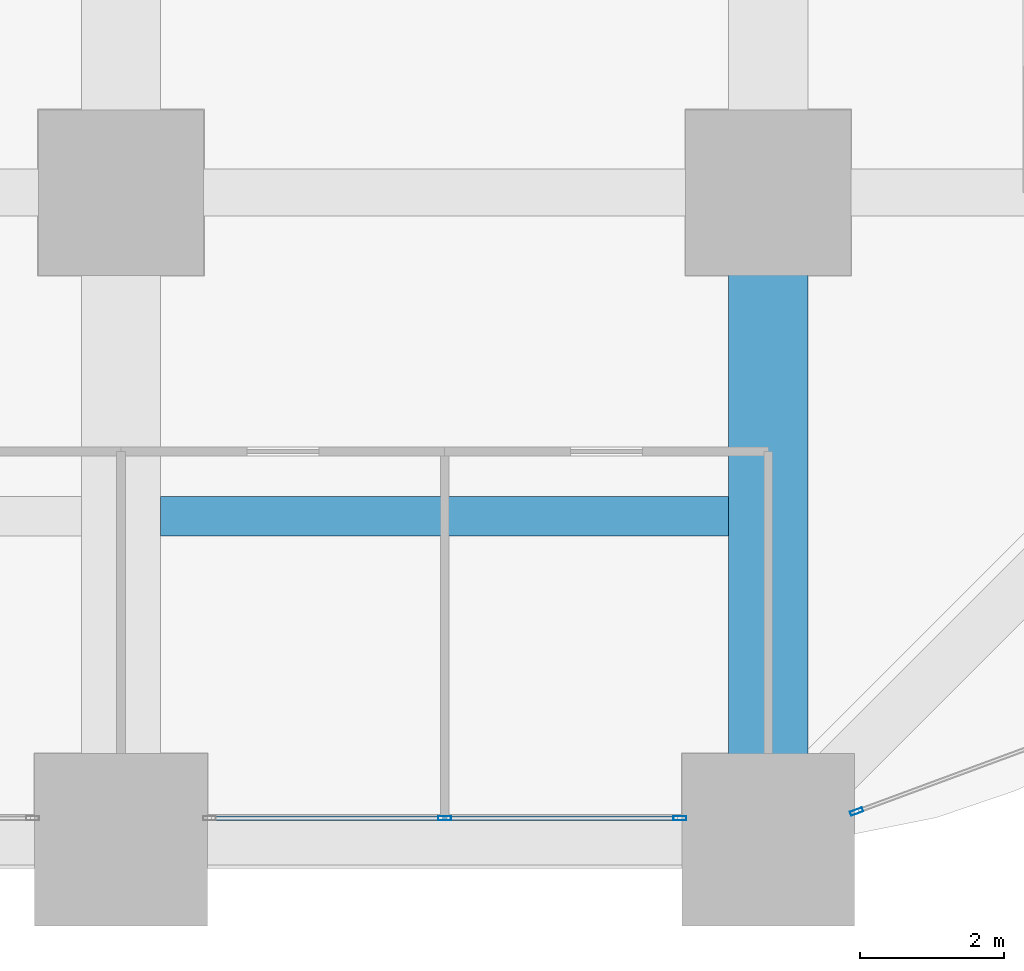
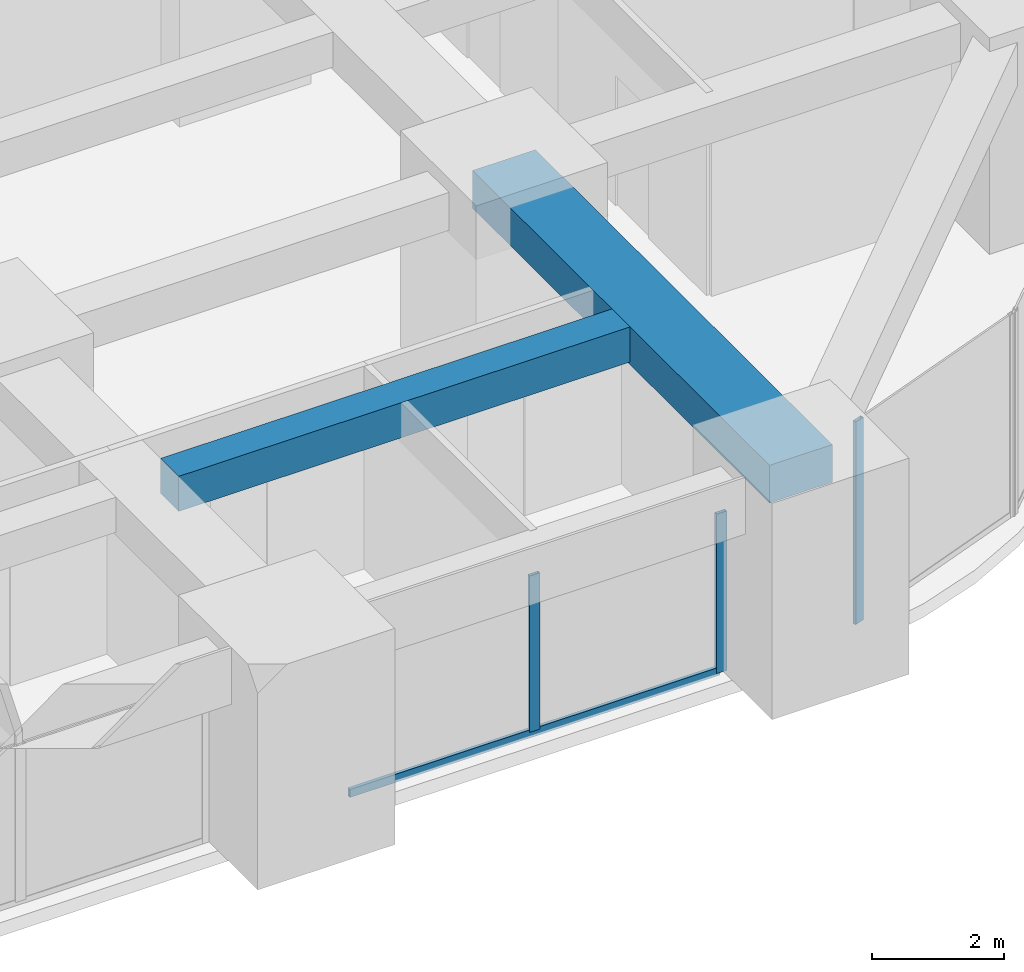
# One storey, part 15 of 45: 4 members, 2 beams, 2 elements without a shape of their own.
"""IFC4 building model written with IfcOpenShell, lengths in metres."""

from ifc_helpers import new_model, si_unit, direction, frame, origin, origin_2d, place, context, subcontext, project, spatial, rectangle, hollow_rectangle, extrude, material, material_profile, profile_set, type_object, element, aggregate, save


model = new_model("IFC4")

# Units and contexts
model_context = context("Model", 3, precision=1e-05, world=origin(), true_north=direction((0.0, 1.0)))
body_context = subcontext(model_context, "Body", "Model", "MODEL_VIEW")
ifc_project = project(units=[si_unit("LENGTHUNIT", "METRE"), si_unit("AREAUNIT", "SQUARE_METRE"), si_unit("VOLUMEUNIT", "CUBIC_METRE"), si_unit("PLANEANGLEUNIT", "RADIAN"), si_unit("MASSUNIT", "GRAM", prefix="KILO")], contexts=[model_context])

# Site, building, storey
site_placement = place(None, origin())
site = spatial("IfcSite", under=ifc_project, at=site_placement, CompositionType="ELEMENT")
building_placement = place(site_placement, origin())
building = spatial("IfcBuilding", under=site, at=building_placement, Name="Zorevar Civic Tower", CompositionType="ELEMENT")
storey_placement = place(building_placement, frame((0.0, 0.0, 27.800048828125)))
storey = spatial("IfcBuildingStorey", under=building, at=storey_placement, Name="L06", CompositionType="ELEMENT", Elevation=27.800048828125)

# Beams
ifc_material_1 = material(Name="Concrete C50/60", Category="concrete")
ifc_material_profile_1 = material_profile(ifc_material_1, rectangle(XDim=1.10009765625, YDim=0.699951171875, at=origin_2d()), Name="RC 1100x700")
ifc_profile_set_1 = profile_set([ifc_material_profile_1], Name="Concrete C50/60")
beam_type_1 = type_object("IfcBeamType", Name="Beam RC 1100x700", PredefinedType="BEAM", material=ifc_profile_set_1)
beam_1_placement = place(storey_placement, frame((54.0, 0.0, 3.39990234375), z_axis=(0.0, 1.0, 0.0), x_axis=(-1.0, 0.0, 0.0)))
element("IfcBeam", 1, at=beam_1_placement, inside=storey, type_object=beam_type_1, Name="Girder L07", PredefinedType="BEAM", context=body_context, shape_type="SweptSolid", body=[
    extrude(rectangle(XDim=1.10009765625, YDim=0.699951171875, at=origin_2d()), origin(), (0.0, 0.0, 1.0), 9.0),
])
ifc_material_2 = material(Name="Concrete C50/60", Category="concrete")
ifc_material_profile_2 = material_profile(ifc_material_2, rectangle(XDim=0.550048828125, YDim=0.64990234375, at=origin_2d()), Name="RC 550x650")
ifc_profile_set_2 = profile_set([ifc_material_profile_2], Name="Concrete C50/60")
beam_type_2 = type_object("IfcBeamType", Name="Beam RC 550x650", PredefinedType="BEAM", material=ifc_profile_set_2)
beam_2_placement = place(storey_placement, frame((45.550048828125, 4.5, 3.425048828125), z_axis=(1.0, 0.0, 0.0), x_axis=(0.0, 1.0, 0.0)))
element("IfcBeam", 2, at=beam_2_placement, inside=storey, type_object=beam_type_2, Name="Secondary beam L07", PredefinedType="BEAM", context=body_context, shape_type="SweptSolid", body=[
    extrude(rectangle(XDim=0.550048828125, YDim=0.64990234375, at=origin_2d()), origin(), (0.0, 0.0, 1.0), 7.89990234375),
])

# Curtain wall, members
ifc_material_3 = material(Name="Dark grey solar-control glass in black aluminium frame", Category="aluminium")
curtain_wall_type = type_object("IfcCurtainWallType", Name="Curtain wall CW2 low zone", PredefinedType="NOTDEFINED", material=ifc_material_3)
curtain_wall_1_placement = place(storey_placement, origin())
curtain_wall_1 = element("IfcCurtainWall", 3, at=curtain_wall_1_placement, inside=storey, type_object=curtain_wall_type, Name="CW2 L06", PredefinedType="NOTDEFINED")
ifc_material_4 = material(Name="Aluminium, black anodised", Category="aluminium")
ifc_material_profile_3 = material_profile(ifc_material_4, hollow_rectangle(XDim=0.06005859375, YDim=0.179931640625, WallThickness=0.00390625, at=origin_2d()), Name="AL 180x60x4")
ifc_profile_set_3 = profile_set([ifc_material_profile_3], Name="Aluminium, black anodised")
member_type_1 = type_object("IfcMemberType", Name="CW2 mullion AL 180x60x4", PredefinedType="MULLION", material=ifc_profile_set_3)
member_1_placement = place(storey_placement, frame((49.5, 0.300048828125, 0.06005859375), z_axis=(0.0, 0.0, 1.0), x_axis=(0.0, 1.0, 0.0)))
member_1 = element("IfcMember", 4, at=member_1_placement, type_object=member_type_1, Name="CW2 mullion 2", PredefinedType="MULLION", context=body_context, shape_type="SweptSolid", body=[
    extrude(hollow_rectangle(XDim=0.06005859375, YDim=0.179931640625, WallThickness=0.00390625, at=origin_2d()), origin(), (0.0, 0.0, 1.0), 2.889892578125),
])
member_2_placement = place(storey_placement, frame((52.77001953125, 0.300048828125, 0.0), z_axis=(0.0, 0.0, 1.0), x_axis=(0.0, 1.0, 0.0)))
member_2 = element("IfcMember", 5, at=member_2_placement, type_object=member_type_1, Name="CW2 mullion 3", PredefinedType="MULLION", context=body_context, shape_type="SweptSolid", body=[
    extrude(hollow_rectangle(XDim=0.06005859375, YDim=0.179931640625, WallThickness=0.00390625, at=origin_2d()), origin(), (0.0, 0.0, 1.0), 2.949951171875),
])

# Curtain wall, member
curtain_wall_2_placement = place(storey_placement, origin())
curtain_wall_2 = element("IfcCurtainWall", 6, at=curtain_wall_2_placement, inside=storey, type_object=curtain_wall_type, Name="CW2 L06", PredefinedType="NOTDEFINED")
member_3_placement = place(storey_placement, frame((55.22802734375, 0.3935546875, 0.0), z_axis=(0.0, 0.0, 1.0), x_axis=(-0.346704012033, 0.937974588163, 0.0)))
member_3 = element("IfcMember", 7, at=member_3_placement, type_object=member_type_1, Name="CW2 mullion 1", PredefinedType="MULLION", context=body_context, shape_type="SweptSolid", body=[
    extrude(hollow_rectangle(XDim=0.06005859375, YDim=0.179931640625, WallThickness=0.00390625, at=origin_2d()), origin(), (0.0, 0.0, 1.0), 3.75),
])
aggregate(curtain_wall_2, [member_3])

# Member
ifc_material_5 = material(Name="Aluminium, black anodised", Category="aluminium")
ifc_material_profile_4 = material_profile(ifc_material_5, hollow_rectangle(XDim=0.06005859375, YDim=0.14990234375, WallThickness=0.00390625, at=origin_2d()), Name="AL 150x60x4")
ifc_profile_set_4 = profile_set([ifc_material_profile_4], Name="Aluminium, black anodised")
member_type_2 = type_object("IfcMemberType", Name="CW2 transom AL 150x60x4", PredefinedType="USERDEFINED", material=ifc_profile_set_4)
member_4_placement = place(storey_placement, frame((46.260009765625, 0.300048828125, 0.030029296875), z_axis=(1.0, 0.0, 0.0), x_axis=(0.0, 1.0, 0.0)))
member_4 = element("IfcMember", 8, at=member_4_placement, type_object=member_type_2, Name="CW2 sill transom", ObjectType="TRANSOM", PredefinedType="USERDEFINED", context=body_context, shape_type="SweptSolid", body=[
    extrude(hollow_rectangle(XDim=0.06005859375, YDim=0.14990234375, WallThickness=0.00390625, at=origin_2d()), origin(), (0.0, 0.0, 1.0), 6.47998046875),
])

aggregate(curtain_wall_1, [member_1, member_2, member_4])

save(model, "model.ifc")
